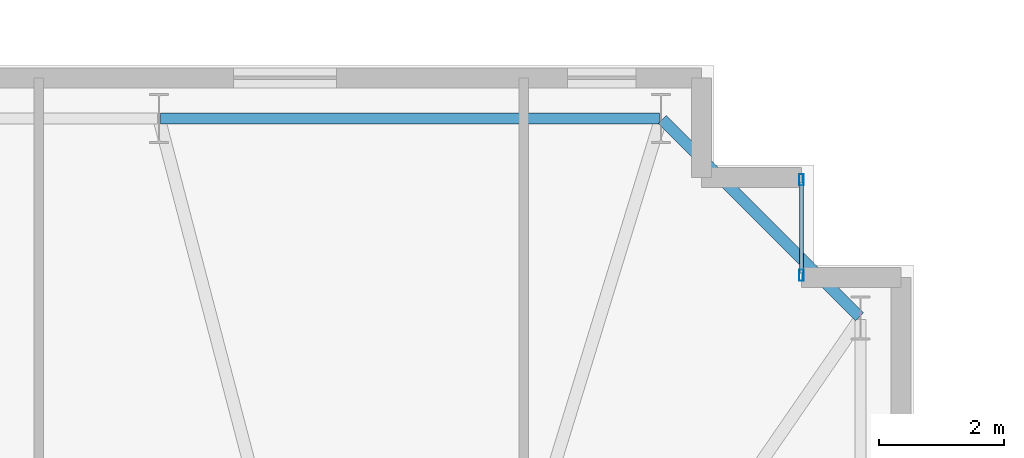
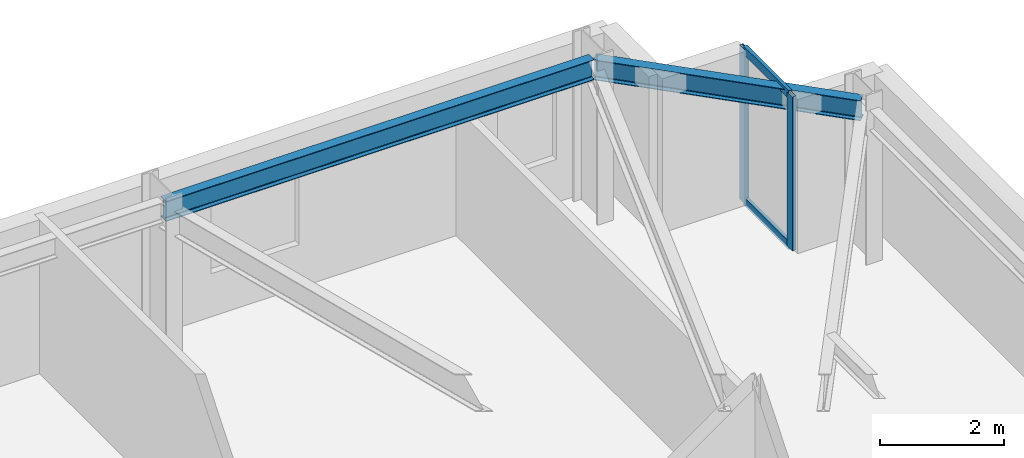
# One storey, part 9 of 17: 4 members, 2 beams, 1 element without a shape of its own.
"""IFC4 building model written with IfcOpenShell, lengths in metres."""

from ifc_helpers import new_model, si_unit, direction, frame, origin, origin_2d, place, context, subcontext, project, spatial, hollow_rectangle, i_section, extrude, material, layer, layer_set, material_profile, profile_set, type_object, element, aggregate, save


model = new_model("IFC4")

# Units and contexts
model_context = context("Model", 3, precision=1e-05, world=origin(), true_north=direction((0.0, 1.0)))
body_context = subcontext(model_context, "Body", "Model", "MODEL_VIEW")
ifc_project = project(units=[si_unit("LENGTHUNIT", "METRE"), si_unit("AREAUNIT", "SQUARE_METRE"), si_unit("VOLUMEUNIT", "CUBIC_METRE"), si_unit("PLANEANGLEUNIT", "RADIAN"), si_unit("MASSUNIT", "GRAM", prefix="KILO")], contexts=[model_context])

# Site, building, storey
site_placement = place(None, origin())
site = spatial("IfcSite", under=ifc_project, at=site_placement, CompositionType="ELEMENT")
building_placement = place(site_placement, origin())
building = spatial("IfcBuilding", under=site, at=building_placement, Name="Qobustan Lattice House", CompositionType="ELEMENT")
storey_placement = place(building_placement, frame((0.0, 0.0, 167.85009765625)))
storey = spatial("IfcBuildingStorey", under=building, at=storey_placement, Name="L47", CompositionType="ELEMENT", Elevation=167.85009765625)

# Beams
ifc_material_1 = material(Name="Steel S355", Category="steel")
ifc_material_profile_1 = material_profile(ifc_material_1, i_section(OverallWidth=0.179931640625, OverallDepth=0.39990234375, WebThickness=0.008544921875, FlangeThickness=0.013427734375, FilletRadius=0.02099609375, at=origin_2d()), Name="IPE400")
ifc_profile_set_1 = profile_set([ifc_material_profile_1], Name="Steel S355")
beam_type = type_object("IfcBeamType", Name="BM-SPD-IPE400", PredefinedType="SPANDREL", material=ifc_profile_set_1)
beam_1_placement = place(storey_placement, frame((26.332275390625, 16.567626953125, 2.83984375), z_axis=(-0.707079505568, 0.707134055753, 0.0), x_axis=(-0.707134055753, -0.707079505568, 0.0)))
element("IfcBeam", 1, at=beam_1_placement, inside=storey, type_object=beam_type, Name="L47 perimeter spandrel E4-N1", PredefinedType="SPANDREL", context=body_context, shape_type="SweptSolid", body=[
    extrude(i_section(OverallWidth=0.179931640625, OverallDepth=0.39990234375, WebThickness=0.008544921875, FlangeThickness=0.013427734375, FilletRadius=0.02099609375, at=origin_2d()), origin(), (0.0, 0.0, 1.0), 4.4755859375),
])
beam_2_placement = place(storey_placement, frame((23.125, 19.75, 2.83984375), z_axis=(-1.0, 0.0, 0.0), x_axis=(0.0, -1.0, 0.0)))
element("IfcBeam", 2, at=beam_2_placement, inside=storey, type_object=beam_type, Name="L47 perimeter spandrel N1-N2", PredefinedType="SPANDREL", context=body_context, shape_type="SweptSolid", body=[
    extrude(i_section(OverallWidth=0.179931640625, OverallDepth=0.39990234375, WebThickness=0.008544921875, FlangeThickness=0.013427734375, FilletRadius=0.02099609375, at=origin_2d()), origin(), (0.0, 0.0, 1.0), 8.0),
])

# Curtain wall, members
ifc_material_2 = material(Name="Anodised aluminium and low-E glazing", Category="aluminium")
ifc_layer = layer(ifc_material_2, 0.219970703125)
ifc_layer_set = layer_set([ifc_layer], Name="Anodised aluminium and low-E glazing")
curtain_wall_type = type_object("IfcCurtainWallType", Name="CW-FAC-02", PredefinedType="USERDEFINED", material=ifc_layer_set)
curtain_wall_placement = place(storey_placement, origin())
curtain_wall = element("IfcCurtainWall", 3, at=curtain_wall_placement, inside=storey, type_object=curtain_wall_type, Name="L47 serrated corner faceted glazing 13", ObjectType="CURTAIN WALL", PredefinedType="USERDEFINED")
ifc_material_3 = material(Name="Anodised aluminium EN AW-6063 T6", Category="aluminium")
ifc_material_profile_2 = material_profile(ifc_material_3, hollow_rectangle(XDim=0.070068359375, YDim=0.179931640625, WallThickness=0.00439453125, at=origin_2d()), Name="CWM-180x70")
ifc_profile_set_2 = profile_set([ifc_material_profile_2], Name="Anodised aluminium EN AW-6063 T6")
member_type_1 = type_object("IfcMemberType", Name="CWM-STD-180", PredefinedType="MULLION", material=ifc_profile_set_2)
member_1_placement = place(storey_placement, frame((25.39990234375, 18.764892578125, 0.0), z_axis=(0.0, 0.0, 1.0), x_axis=(1.0, 0.0, 0.0)))
member_1 = element("IfcMember", 4, at=member_1_placement, type_object=member_type_1, Name="CW-F2 mullion 1", PredefinedType="MULLION", context=body_context, shape_type="SweptSolid", body=[
    extrude(hollow_rectangle(XDim=0.070068359375, YDim=0.179931640625, WallThickness=0.00439453125, at=origin_2d()), origin(), (0.0, 0.0, 1.0), 3.039794921875),
])
member_2_placement = place(storey_placement, frame((25.39990234375, 17.235107421875, 0.0), z_axis=(0.0, 0.0, 1.0), x_axis=(1.0, 0.0, 0.0)))
member_2 = element("IfcMember", 5, at=member_2_placement, type_object=member_type_1, Name="CW-F2 mullion 2", PredefinedType="MULLION", context=body_context, shape_type="SweptSolid", body=[
    extrude(hollow_rectangle(XDim=0.070068359375, YDim=0.179931640625, WallThickness=0.00439453125, at=origin_2d()), origin(), (0.0, 0.0, 1.0), 3.039794921875),
])
ifc_material_4 = material(Name="Anodised aluminium EN AW-6063 T6", Category="aluminium")
ifc_material_profile_3 = material_profile(ifc_material_4, hollow_rectangle(XDim=0.06494140625, YDim=0.159912109375, WallThickness=0.00390625, at=origin_2d()), Name="CWT-160x65")
ifc_profile_set_3 = profile_set([ifc_material_profile_3], Name="Anodised aluminium EN AW-6063 T6")
member_type_2 = type_object("IfcMemberType", Name="CWT-HOR-160", PredefinedType="USERDEFINED", material=ifc_profile_set_3)
member_3_placement = place(storey_placement, frame((25.39990234375, 18.72998046875, 0.032470703125), z_axis=(0.0, -1.0, 0.0), x_axis=(1.0, 0.0, 0.0)))
member_3 = element("IfcMember", 6, at=member_3_placement, type_object=member_type_2, Name="CW-F2 transom 1.1", ObjectType="TRANSOM", PredefinedType="USERDEFINED", context=body_context, shape_type="SweptSolid", body=[
    extrude(hollow_rectangle(XDim=0.06494140625, YDim=0.159912109375, WallThickness=0.00390625, at=origin_2d()), origin(), (0.0, 0.0, 1.0), 1.4599609375),
])
member_4_placement = place(storey_placement, frame((25.39990234375, 18.72998046875, 3.00732421875), z_axis=(0.0, -1.0, 0.0), x_axis=(1.0, 0.0, 0.0)))
member_4 = element("IfcMember", 7, at=member_4_placement, type_object=member_type_2, Name="CW-F2 transom 1.2", ObjectType="TRANSOM", PredefinedType="USERDEFINED", context=body_context, shape_type="SweptSolid", body=[
    extrude(hollow_rectangle(XDim=0.06494140625, YDim=0.159912109375, WallThickness=0.00390625, at=origin_2d()), origin(), (0.0, 0.0, 1.0), 1.4599609375),
])
aggregate(curtain_wall, [member_1, member_2, member_3, member_4])

save(model, "model.ifc")
